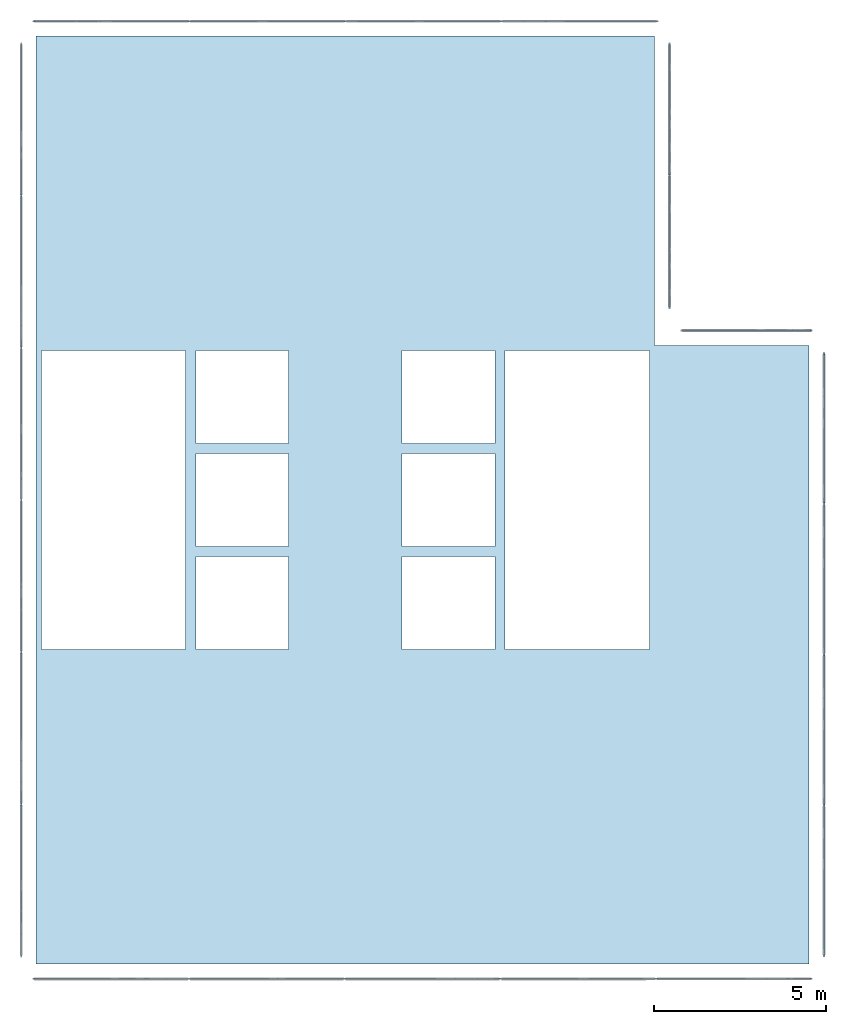
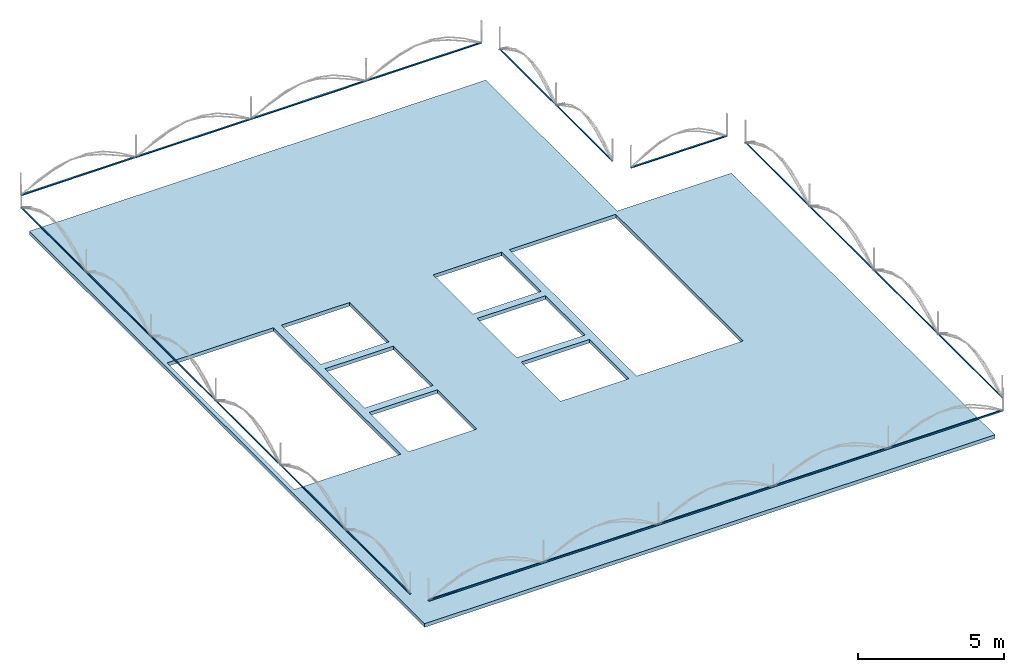
# One storey, part 1 of 9: 6 discrete accessories, 1 slab.
"""IFC4 building model written with IfcOpenShell, lengths in metres."""

from ifc_helpers import new_model, si_unit, direction, frame, origin, origin_2d, place, context, subcontext, project, spatial, polyline, rectangle, outline, extrude, material, layer, layer_set, material_profile, profile_set, type_object, element, save


model = new_model("IFC4")

# Units and contexts
model_context = context("Model", 3, precision=1e-05, world=origin(), true_north=direction((0.0, 1.0)))
body_context = subcontext(model_context, "Body", "Model", "MODEL_VIEW")
ifc_project = project(units=[si_unit("LENGTHUNIT", "METRE"), si_unit("AREAUNIT", "SQUARE_METRE"), si_unit("VOLUMEUNIT", "CUBIC_METRE"), si_unit("PLANEANGLEUNIT", "RADIAN"), si_unit("MASSUNIT", "GRAM", prefix="KILO")], contexts=[model_context])

# Site, building, storey
site_placement = place(None, origin())
site = spatial("IfcSite", under=ifc_project, at=site_placement, CompositionType="ELEMENT")
building_placement = place(site_placement, origin())
building = spatial("IfcBuilding", under=site, at=building_placement, Name="Hortulan Conservatory and Botanical Research Centre", CompositionType="ELEMENT")
storey_placement = place(building_placement, frame((0.0, 0.0, 74.25)))
storey = spatial("IfcBuildingStorey", under=building, at=storey_placement, Name="MAIN ROOF", CompositionType="ELEMENT", Elevation=74.25)

# Slab
ifc_material_1 = material(Name="Concrete N32 (32 MPa, AS 3600)", Category="concrete")
ifc_layer = layer(ifc_material_1, 0.14990234375)
ifc_layer_set = layer_set([ifc_layer], Name="Roof Slab 150")
slab_type = type_object("IfcSlabType", Name="Roof Slab 150", PredefinedType="ROOF", material=ifc_layer_set)
slab_placement = place(storey_placement, origin())
element("IfcSlab", 1, at=slab_placement, inside=storey, type_object=slab_type, Name="Roof slab", PredefinedType="ROOF", context=body_context, shape_type="SweptSolid", body=[
    extrude(outline(polyline([(9.0, 0.0), (31.5, 0.0), (31.5, 18.0), (27.0, 18.0), (27.0, 27.0), (9.0, 27.0), (9.0, 0.0)]), holes=[polyline([(13.64990234375, 11.85009765625), (13.64990234375, 9.14990234375), (16.35009765625, 9.14990234375), (16.35009765625, 11.85009765625), (13.64990234375, 11.85009765625)]), polyline([(19.64990234375, 11.85009765625), (19.64990234375, 9.14990234375), (22.35009765625, 9.14990234375), (22.35009765625, 11.85009765625), (19.64990234375, 11.85009765625)]), polyline([(9.14990234375, 17.85009765625), (9.14990234375, 9.14990234375), (13.35009765625, 9.14990234375), (13.35009765625, 17.85009765625), (9.14990234375, 17.85009765625)]), polyline([(13.64990234375, 14.85009765625), (13.64990234375, 12.14990234375), (16.35009765625, 12.14990234375), (16.35009765625, 14.85009765625), (13.64990234375, 14.85009765625)]), polyline([(19.64990234375, 14.85009765625), (19.64990234375, 12.14990234375), (22.35009765625, 12.14990234375), (22.35009765625, 14.85009765625), (19.64990234375, 14.85009765625)]), polyline([(22.64990234375, 17.85009765625), (22.64990234375, 9.14990234375), (26.85009765625, 9.14990234375), (26.85009765625, 17.85009765625), (22.64990234375, 17.85009765625)]), polyline([(13.64990234375, 17.85009765625), (13.64990234375, 15.14990234375), (16.35009765625, 15.14990234375), (16.35009765625, 17.85009765625), (13.64990234375, 17.85009765625)]), polyline([(19.64990234375, 17.85009765625), (19.64990234375, 15.14990234375), (22.35009765625, 15.14990234375), (22.35009765625, 17.85009765625), (19.64990234375, 17.85009765625)])]), origin(), (0.0, 0.0, 1.0), 0.14990234375),
])

# Discrete accessories
ifc_material_2 = material(Name="Bronze-charcoal painted wrought iron", Category="metal")
ifc_material_profile = material_profile(ifc_material_2, rectangle(XDim=0.0400390625, YDim=0.0400390625, at=origin_2d()), Name="Square bar 40x40")
ifc_profile_set = profile_set([ifc_material_profile], Name="Bronze-charcoal painted wrought iron")
discrete_accessory_type = type_object("IfcDiscreteAccessoryType", Name="Cresting Rail 40x40", PredefinedType="USERDEFINED", material=ifc_profile_set)
discrete_accessory_1_placement = place(storey_placement, frame((31.574951171875, -0.43603515625, 1.419921875), z_axis=(-1.0, 0.0, 0.0), x_axis=(0.0, -1.0, 0.0)))
element("IfcDiscreteAccessory", 2, at=discrete_accessory_1_placement, inside=storey, type_object=discrete_accessory_type, Name="Cresting rail", ObjectType="Cresting rail", PredefinedType="USERDEFINED", context=body_context, shape_type="SweptSolid", body=[
    extrude(rectangle(XDim=0.0400390625, YDim=0.0400390625, at=origin_2d()), origin(), (0.0, 0.0, 1.0), 22.660888671875),
])
discrete_accessory_2_placement = place(storey_placement, frame((8.56396484375, 0.214111328125, 1.419921875), z_axis=(0.0, 1.0, 0.0), x_axis=(-1.0, 0.0, 0.0)))
element("IfcDiscreteAccessory", 3, at=discrete_accessory_2_placement, inside=storey, type_object=discrete_accessory_type, Name="Cresting rail", ObjectType="Cresting rail", PredefinedType="USERDEFINED", context=body_context, shape_type="SweptSolid", body=[
    extrude(rectangle(XDim=0.0400390625, YDim=0.0400390625, at=origin_2d()), origin(), (0.0, 0.0, 1.0), 26.57177734375),
])
discrete_accessory_3_placement = place(storey_placement, frame((8.9140625, 27.43603515625, 1.419921875), z_axis=(1.0, 0.0, 0.0), x_axis=(0.0, 1.0, 0.0)))
element("IfcDiscreteAccessory", 4, at=discrete_accessory_3_placement, inside=storey, type_object=discrete_accessory_type, Name="Cresting rail", ObjectType="Cresting rail", PredefinedType="USERDEFINED", context=body_context, shape_type="SweptSolid", body=[
    extrude(rectangle(XDim=0.0400390625, YDim=0.0400390625, at=origin_2d()), origin(), (0.0, 0.0, 1.0), 18.171875),
])
discrete_accessory_4_placement = place(storey_placement, frame((27.43603515625, 26.785888671875, 1.419921875), z_axis=(0.0, -1.0, 0.0), x_axis=(1.0, 0.0, 0.0)))
element("IfcDiscreteAccessory", 5, at=discrete_accessory_4_placement, inside=storey, type_object=discrete_accessory_type, Name="Cresting rail", ObjectType="Cresting rail", PredefinedType="USERDEFINED", context=body_context, shape_type="SweptSolid", body=[
    extrude(rectangle(XDim=0.0400390625, YDim=0.0400390625, at=origin_2d()), origin(), (0.0, 0.0, 1.0), 7.699951171875),
])
discrete_accessory_5_placement = place(storey_placement, frame((27.785888671875, 18.43603515625, 1.419921875), z_axis=(1.0, 0.0, 0.0), x_axis=(0.0, 1.0, 0.0)))
element("IfcDiscreteAccessory", 6, at=discrete_accessory_5_placement, inside=storey, type_object=discrete_accessory_type, Name="Cresting rail", ObjectType="Cresting rail", PredefinedType="USERDEFINED", context=body_context, shape_type="SweptSolid", body=[
    extrude(rectangle(XDim=0.0400390625, YDim=0.0400390625, at=origin_2d()), origin(), (0.0, 0.0, 1.0), 3.7890625),
])
discrete_accessory_6_placement = place(storey_placement, frame((31.925048828125, 17.77490234375, 1.419921875), z_axis=(0.0, -1.0, 0.0), x_axis=(1.0, 0.0, 0.0)))
element("IfcDiscreteAccessory", 7, at=discrete_accessory_6_placement, inside=storey, type_object=discrete_accessory_type, Name="Cresting rail", ObjectType="Cresting rail", PredefinedType="USERDEFINED", context=body_context, shape_type="SweptSolid", body=[
    extrude(rectangle(XDim=0.0400390625, YDim=0.0400390625, at=origin_2d()), origin(), (0.0, 0.0, 1.0), 17.5498046875),
])

save(model, "model.ifc")
